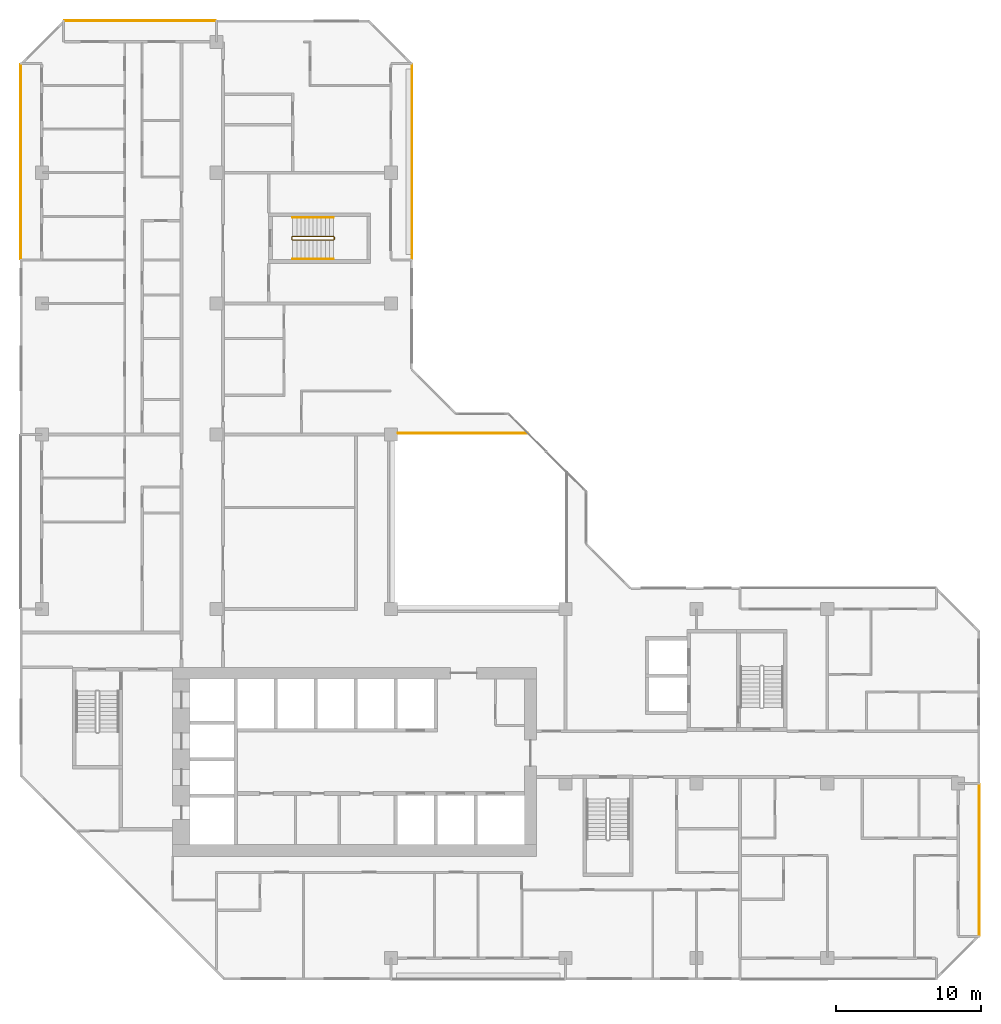
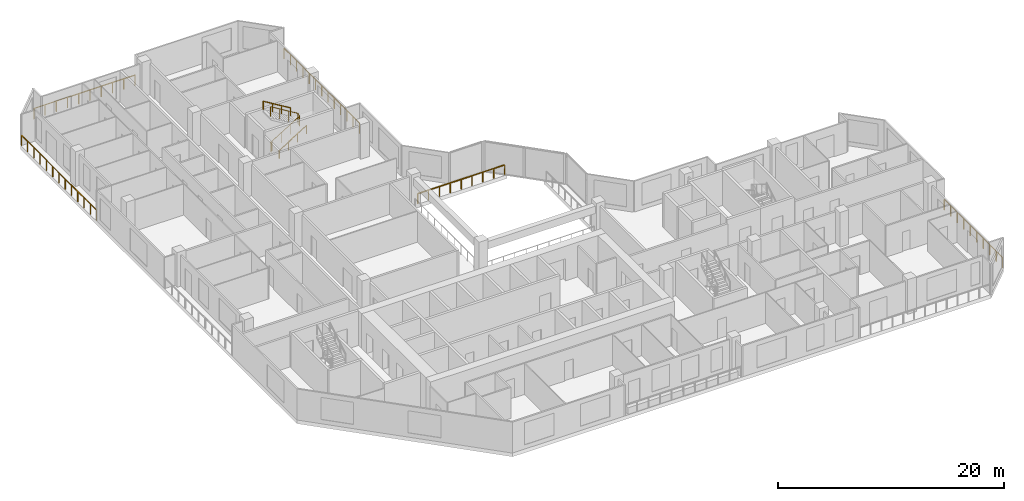
# One storey, part 15 of 15: 8 railings.
"""IFC4 building model written with IfcOpenShell, lengths in metres."""

import ifcopenshell
import ifcopenshell.guid

model = None  # the IFC model being written
_history = None  # IfcOwnerHistory: only IFC2X3 demands one
_inside = {}  # id of a spatial element -> (the spatial element, [elements in it])
_under = {}  # id of a project, library or spatial element -> (it, [spatial elements below it])
_declared = {}  # id of a project -> (the project, [libraries it declares])
_typed = {}  # id of a type object -> (the type object, [elements of that type])
_made_of = {}  # id of a material, layer set ... -> (it, [elements and type objects made of it])


def new_model(schema):
    """Start an empty IFC model of exactly this schema.

    Asked for "IFC4X3", IfcOpenShell would pick the latest addendum, in which some entities
    have other attributes; the version numbers below select the first issue.
    IFC2X3 requires an IfcOwnerHistory on every rooted entity: one is made here for all.
    """
    global model, _history
    if schema == "IFC4X3":
        model = ifcopenshell.file(schema_version=(4, 3, 0, 0))
    else:
        model = ifcopenshell.file(schema=schema)
    _inside.clear()
    _under.clear()
    _declared.clear()
    _typed.clear()
    _made_of.clear()
    _history = None
    if model.schema == "IFC2X3":
        org = make("IfcOrganization", Name="unknown")
        user = make(
            "IfcPersonAndOrganization",
            ThePerson=make("IfcPerson", FamilyName="unknown"),
            TheOrganization=org,
        )
        app = make(
            "IfcApplication",
            ApplicationDeveloper=org,
            Version="unknown",
            ApplicationFullName="unknown",
            ApplicationIdentifier="unknown",
        )
        _history = make(
            "IfcOwnerHistory",
            OwningUser=user,
            OwningApplication=app,
            ChangeAction="ADDED",
            CreationDate=0,
        )
    return model


def make(cls, **values):
    """One entity of the class cls with the attributes given. An attribute that is None is left unset."""
    return model.create_entity(
        cls, **{name: value for name, value in values.items() if value is not None}
    )


def rooted(cls, **values):
    """An entity with a GlobalId (a new one), such as an element, a storey or a relation."""
    return make(cls, GlobalId=ifcopenshell.guid.new(), OwnerHistory=_history, **values)


def si_unit(unit_type, name, prefix=None):
    """IfcSIUnit, for example si_unit("LENGTHUNIT", "METRE", prefix="MILLI")."""
    return make("IfcSIUnit", UnitType=unit_type, Prefix=prefix, Name=name)


def assignment(units):
    """IfcUnitAssignment: the units of a project."""
    return None if units is None else make("IfcUnitAssignment", Units=units)


def point(xyz):
    """IfcCartesianPoint."""
    return None if xyz is None else make("IfcCartesianPoint", Coordinates=xyz)


def direction(xyz):
    """IfcDirection."""
    return None if xyz is None else make("IfcDirection", DirectionRatios=xyz)


def frame(location, z_axis=None, x_axis=None):
    """IfcAxis2Placement3D, a coordinate frame: its origin and axes. An axis left out is left unset."""
    return make(
        "IfcAxis2Placement3D",
        Location=point(location),
        Axis=direction(z_axis),
        RefDirection=direction(x_axis),
    )


def frame_2d(location, x_axis=None):
    """IfcAxis2Placement2D, a coordinate frame in the plane: its origin and x axis."""
    return make(
        "IfcAxis2Placement2D", Location=point(location), RefDirection=direction(x_axis)
    )


def origin():
    """The frame at (0, 0, 0) with its axes left unset."""
    return frame((0.0, 0.0, 0.0))


def origin_2d():
    """The frame at (0, 0) in the plane with its x axis left unset."""
    return frame_2d((0.0, 0.0))


def place(relative_to, where):
    """IfcLocalPlacement: puts the frame where relative to a parent placement (None: the world)."""
    return make(
        "IfcLocalPlacement", PlacementRelTo=relative_to, RelativePlacement=where
    )


def context(
    kind, dimensions, precision=None, world=None, true_north=None, identifier=None
):
    """IfcGeometricRepresentationContext, for example the 3D "Model" context."""
    return make(
        "IfcGeometricRepresentationContext",
        ContextIdentifier=identifier,
        ContextType=kind,
        CoordinateSpaceDimension=dimensions,
        Precision=precision,
        WorldCoordinateSystem=world,
        TrueNorth=true_north,
    )


def subcontext(parent, identifier, kind, view, scale=None):
    """IfcGeometricRepresentationSubContext, for example "Body" below "Model"."""
    return make(
        "IfcGeometricRepresentationSubContext",
        ContextIdentifier=identifier,
        ContextType=kind,
        ParentContext=parent,
        TargetScale=scale,
        TargetView=view,
    )


def project(units=None, contexts=None):
    """IfcProject with its units and contexts."""
    return rooted(
        "IfcProject",
        Name="project",
        RepresentationContexts=contexts,
        UnitsInContext=assignment(units),
    )


def spatial(cls, under=None, at=None, **own):
    """A site, building, storey or space (cls), placed at a placement, below another one or the project."""
    s = rooted(cls, ObjectPlacement=at, **own)
    if under is not None:
        _under.setdefault(under.id(), (under, []))[1].append(s)
    return s


def profile(cls, at=None, kind="AREA", **sizes):
    """A parametric profile (cls). Its sizes go by their IFC names, for example OverallWidth=200.0."""
    return make(cls, ProfileType=kind, Position=at, **sizes)


def rectangle(**sizes):
    """IfcRectangleProfileDef."""
    return profile("IfcRectangleProfileDef", **sizes)


def extrude(swept, where, along, depth):
    """IfcExtrudedAreaSolid: the profile swept, set in the frame where, extruded along a direction by depth."""
    return make(
        "IfcExtrudedAreaSolid",
        SweptArea=swept,
        Position=where,
        ExtrudedDirection=direction(along),
        Depth=depth,
    )


def shape(context_of_items, identifier, shape_type, items):
    """IfcShapeRepresentation: the items that make up one representation, for example the "Body"."""
    return make(
        "IfcShapeRepresentation",
        ContextOfItems=context_of_items,
        RepresentationIdentifier=identifier,
        RepresentationType=shape_type,
        Items=items,
    )


def material(Name=None, Category=None):
    """IfcMaterial."""
    return make("IfcMaterial", Name=Name, Category=Category)


def made_of(thing, what):
    """Note that an element or type object is made of a material, layer set ...; save() writes the relation."""
    if what is not None:
        _made_of.setdefault(what.id(), (what, []))[1].append(thing)
    return thing


def type_object(cls, material=None, **own):
    """A type object (cls), such as IfcWallType, which elements share."""
    return made_of(rooted(cls, **own), material)


def element(
    cls,
    number,
    at=None,
    inside=None,
    cuts=None,
    type_object=None,
    material=None,
    context=None,
    identifier="Body",
    shape_type=None,
    held_by="IfcProductDefinitionShape",
    body=None,
    shapes=None,
    **own,
):
    """One element of the class cls, such as IfcWall. Its Tag is "e" and its number.

    at: its placement. inside: the storey or other place that contains it. cuts: it is an
    opening in that element (IfcRelVoidsElement). A single representation is given by context,
    identifier, shape_type and body (its items); several are given by shapes. held_by: the class
    of the entity that holds the representations. save() writes the other relations.
    """
    e = rooted(cls, Tag="e%d" % number, ObjectPlacement=at, **own)
    if body is not None:
        shapes = [shape(context, identifier, shape_type, body)]
    if shapes is not None:
        e.Representation = make(held_by, Representations=shapes)
    if inside is not None:
        _inside.setdefault(inside.id(), (inside, []))[1].append(e)
    if cuts is not None:
        rooted(
            "IfcRelVoidsElement", RelatingBuildingElement=cuts, RelatedOpeningElement=e
        )
    if type_object is not None:
        _typed.setdefault(type_object.id(), (type_object, []))[1].append(e)
    return made_of(e, material)


def aggregate(whole, parts):
    """IfcRelAggregates: a whole, such as a stair, and the parts it consists of."""
    return rooted("IfcRelAggregates", RelatingObject=whole, RelatedObjects=parts)


def save(model, path):
    """Write the relations noted so far, then the file.

    IfcRelAggregates (storeys below a building ...), IfcRelContainedInSpatialStructure (elements
    in a storey), IfcRelDefinesByType, IfcRelAssociatesMaterial and IfcRelDeclares: one each for
    every whole, place, type object, material and project.
    """
    for whole, parts in _under.values():
        aggregate(whole, parts)
    for where, things in _inside.values():
        rooted(
            "IfcRelContainedInSpatialStructure",
            RelatedElements=things,
            RelatingStructure=where,
        )
    for kind, things in _typed.values():
        rooted("IfcRelDefinesByType", RelatedObjects=things, RelatingType=kind)
    for what, things in _made_of.values():
        rooted("IfcRelAssociatesMaterial", RelatedObjects=things, RelatingMaterial=what)
    for by, libraries in _declared.values():
        rooted("IfcRelDeclares", RelatingContext=by, RelatedDefinitions=libraries)
    model.write(path)


model = new_model("IFC4")

# Units and contexts
model_context = context("Model", 3, precision=1e-05, world=origin(), true_north=direction((0.0, 1.0)))
body_context = subcontext(model_context, "Body", "Model", "MODEL_VIEW")
ifc_project = project(units=[si_unit("LENGTHUNIT", "METRE"), si_unit("AREAUNIT", "SQUARE_METRE"), si_unit("VOLUMEUNIT", "CUBIC_METRE"), si_unit("PLANEANGLEUNIT", "RADIAN"), si_unit("MASSUNIT", "GRAM", prefix="KILO")], contexts=[model_context])

# Site, building, storey
site_placement = place(None, origin())
site = spatial("IfcSite", under=ifc_project, at=site_placement, CompositionType="ELEMENT")
building_placement = place(site_placement, origin())
building = spatial("IfcBuilding", under=site, at=building_placement, Name="Chenar Terraces", CompositionType="ELEMENT")
storey_placement = place(building_placement, frame((0.0, 0.0, 191.14990234375)))
storey = spatial("IfcBuildingStorey", under=building, at=storey_placement, Name="L44", CompositionType="ELEMENT", Elevation=191.14990234375)

# Railings
ifc_material_1 = material(Name="Powder-coated steel", Category="steel")
railing_type_1 = type_object("IfcRailingType", Name="Guard 1100 steel rail with glass infill", PredefinedType="GUARDRAIL", material=ifc_material_1)
railing_1_placement = place(storey_placement, frame((24.5, 36.10009765625, 0.0)))
element("IfcRailing", 1, at=railing_1_placement, inside=storey, type_object=railing_type_1, Name="Guard L44-2", PredefinedType="GUARDRAIL", context=body_context, shape_type="SweptSolid", body=[
    extrude(rectangle(XDim=0.06005859375, YDim=0.06005859375, at=origin_2d()), frame((0.0, 0.0, 1.070068359375), z_axis=(1.0, 0.0, 0.0), x_axis=(0.0, 1.0, 0.0)), (0.0, 0.0, 1.0), 8.89990234375),
    extrude(rectangle(XDim=0.050048828125, YDim=0.050048828125, at=origin_2d()), origin(), (0.0, 0.0, 1.0), 1.0400390625),
    extrude(rectangle(XDim=0.050048828125, YDim=0.050048828125, at=origin_2d()), frame((1.112548828125, 0.0, 0.0)), (0.0, 0.0, 1.0), 1.0400390625),
    extrude(rectangle(XDim=0.050048828125, YDim=0.050048828125, at=origin_2d()), frame((2.22509765625, 0.0, 0.0)), (0.0, 0.0, 1.0), 1.0400390625),
    extrude(rectangle(XDim=0.050048828125, YDim=0.050048828125, at=origin_2d()), frame((3.33740234375, 0.0, 0.0)), (0.0, 0.0, 1.0), 1.0400390625),
    extrude(rectangle(XDim=0.050048828125, YDim=0.050048828125, at=origin_2d()), frame((4.449951171875, 0.0, 0.0)), (0.0, 0.0, 1.0), 1.0400390625),
    extrude(rectangle(XDim=0.050048828125, YDim=0.050048828125, at=origin_2d()), frame((5.5625, 0.0, 0.0)), (0.0, 0.0, 1.0), 1.0400390625),
    extrude(rectangle(XDim=0.050048828125, YDim=0.050048828125, at=origin_2d()), frame((6.6748046875, 0.0, 0.0)), (0.0, 0.0, 1.0), 1.0400390625),
    extrude(rectangle(XDim=0.050048828125, YDim=0.050048828125, at=origin_2d()), frame((7.787353515625, 0.0, 0.0)), (0.0, 0.0, 1.0), 1.0400390625),
    extrude(rectangle(XDim=0.050048828125, YDim=0.050048828125, at=origin_2d()), frame((8.89990234375, 0.0, 0.0)), (0.0, 0.0, 1.0), 1.0400390625),
])
ifc_material_2 = material(Name="Stainless steel and glass", Category="steel")
railing_type_2 = type_object("IfcRailingType", Name="Loggia guard 1150", PredefinedType="GUARDRAIL", material=ifc_material_2)
railing_2_placement = place(storey_placement, frame((25.449951171875, 48.074951171875, 0.0)))
element("IfcRailing", 2, at=railing_2_placement, inside=storey, type_object=railing_type_2, Name="Loggia guard", PredefinedType="GUARDRAIL", context=body_context, shape_type="SweptSolid", body=[
    extrude(rectangle(XDim=0.048095703125, YDim=0.048095703125, at=origin_2d()), frame((0.0, 0.0, 1.1259765625), z_axis=(0.0, 1.0, 0.0), x_axis=(-1.0, 0.0, 0.0)), (0.0, 0.0, 1.0), 13.35009765625),
    extrude(rectangle(XDim=0.0419921875, YDim=0.0419921875, at=origin_2d()), origin(), (0.0, 0.0, 1.0), 1.101806640625),
    extrude(rectangle(XDim=0.0419921875, YDim=0.0419921875, at=origin_2d()), frame((0.0, 1.112548828125, 0.0)), (0.0, 0.0, 1.0), 1.101806640625),
    extrude(rectangle(XDim=0.0419921875, YDim=0.0419921875, at=origin_2d()), frame((0.0, 2.22509765625, 0.0)), (0.0, 0.0, 1.0), 1.101806640625),
    extrude(rectangle(XDim=0.0419921875, YDim=0.0419921875, at=origin_2d()), frame((0.0, 3.33740234375, 0.0)), (0.0, 0.0, 1.0), 1.101806640625),
    extrude(rectangle(XDim=0.0419921875, YDim=0.0419921875, at=origin_2d()), frame((0.0, 4.449951171875, 0.0)), (0.0, 0.0, 1.0), 1.101806640625),
    extrude(rectangle(XDim=0.0419921875, YDim=0.0419921875, at=origin_2d()), frame((0.0, 5.5625, 0.0)), (0.0, 0.0, 1.0), 1.101806640625),
    extrude(rectangle(XDim=0.0419921875, YDim=0.0419921875, at=origin_2d()), frame((0.0, 6.675048828125, 0.0)), (0.0, 0.0, 1.0), 1.101806640625),
    extrude(rectangle(XDim=0.0419921875, YDim=0.0419921875, at=origin_2d()), frame((0.0, 7.78759765625, 0.0)), (0.0, 0.0, 1.0), 1.101806640625),
    extrude(rectangle(XDim=0.0419921875, YDim=0.0419921875, at=origin_2d()), frame((0.0, 8.900146484375, 0.0)), (0.0, 0.0, 1.0), 1.101806640625),
    extrude(rectangle(XDim=0.0419921875, YDim=0.0419921875, at=origin_2d()), frame((0.0, 10.0126953125, 0.0)), (0.0, 0.0, 1.0), 1.101806640625),
    extrude(rectangle(XDim=0.0419921875, YDim=0.0419921875, at=origin_2d()), frame((0.0, 11.125, 0.0)), (0.0, 0.0, 1.0), 1.101806640625),
    extrude(rectangle(XDim=0.0419921875, YDim=0.0419921875, at=origin_2d()), frame((0.0, 12.237548828125, 0.0)), (0.0, 0.0, 1.0), 1.101806640625),
    extrude(rectangle(XDim=0.0419921875, YDim=0.0419921875, at=origin_2d()), frame((0.0, 13.35009765625, 0.0)), (0.0, 0.0, 1.0), 1.101806640625),
])
railing_3_placement = place(storey_placement, frame((64.449951171875, 1.574951171875, 0.0)))
element("IfcRailing", 3, at=railing_3_placement, inside=storey, type_object=railing_type_2, Name="Loggia guard", PredefinedType="GUARDRAIL", context=body_context, shape_type="SweptSolid", body=[
    extrude(rectangle(XDim=0.048095703125, YDim=0.048095703125, at=origin_2d()), frame((0.0, 0.0, 1.1259765625), z_axis=(0.0, 1.0, 0.0), x_axis=(-1.0, 0.0, 0.0)), (0.0, 0.0, 1.0), 10.35009765625),
    extrude(rectangle(XDim=0.0419921875, YDim=0.0419921875, at=origin_2d()), origin(), (0.0, 0.0, 1.0), 1.101806640625),
    extrude(rectangle(XDim=0.0419921875, YDim=0.0419921875, at=origin_2d()), frame((0.0, 1.14990234375, 0.0)), (0.0, 0.0, 1.0), 1.101806640625),
    extrude(rectangle(XDim=0.0419921875, YDim=0.0419921875, at=origin_2d()), frame((0.0, 2.300048828125, 0.0)), (0.0, 0.0, 1.0), 1.101806640625),
    extrude(rectangle(XDim=0.0419921875, YDim=0.0419921875, at=origin_2d()), frame((0.0, 3.449951171875, 0.0)), (0.0, 0.0, 1.0), 1.101806640625),
    extrude(rectangle(XDim=0.0419921875, YDim=0.0419921875, at=origin_2d()), frame((0.0, 4.60009765625, 0.0)), (0.0, 0.0, 1.0), 1.101806640625),
    extrude(rectangle(XDim=0.0419921875, YDim=0.0419921875, at=origin_2d()), frame((0.0, 5.75, 0.0)), (0.0, 0.0, 1.0), 1.101806640625),
    extrude(rectangle(XDim=0.0419921875, YDim=0.0419921875, at=origin_2d()), frame((0.0, 6.900146484375, 0.0)), (0.0, 0.0, 1.0), 1.101806640625),
    extrude(rectangle(XDim=0.0419921875, YDim=0.0419921875, at=origin_2d()), frame((0.0, 8.050048828125, 0.0)), (0.0, 0.0, 1.0), 1.101806640625),
    extrude(rectangle(XDim=0.0419921875, YDim=0.0419921875, at=origin_2d()), frame((0.0, 9.2001953125, 0.0)), (0.0, 0.0, 1.0), 1.101806640625),
    extrude(rectangle(XDim=0.0419921875, YDim=0.0419921875, at=origin_2d()), frame((0.0, 10.35009765625, 0.0)), (0.0, 0.0, 1.0), 1.101806640625),
])
railing_4_placement = place(storey_placement, frame((11.925048828125, 64.449951171875, 0.0)))
element("IfcRailing", 4, at=railing_4_placement, inside=storey, type_object=railing_type_2, Name="Loggia guard", PredefinedType="GUARDRAIL", context=body_context, shape_type="SweptSolid", body=[
    extrude(rectangle(XDim=0.048095703125, YDim=0.048095703125, at=origin_2d()), frame((0.0, 0.0, 1.1259765625), z_axis=(-1.0, 0.0, 0.0), x_axis=(0.0, -1.0, 0.0)), (0.0, 0.0, 1.0), 10.35009765625),
    extrude(rectangle(XDim=0.0419921875, YDim=0.0419921875, at=origin_2d()), origin(), (0.0, 0.0, 1.0), 1.101806640625),
    extrude(rectangle(XDim=0.0419921875, YDim=0.0419921875, at=origin_2d()), frame((-1.14990234375, 0.0, 0.0)), (0.0, 0.0, 1.0), 1.101806640625),
    extrude(rectangle(XDim=0.0419921875, YDim=0.0419921875, at=origin_2d()), frame((-2.300048828125, 0.0, 0.0)), (0.0, 0.0, 1.0), 1.101806640625),
    extrude(rectangle(XDim=0.0419921875, YDim=0.0419921875, at=origin_2d()), frame((-3.449951171875, 0.0, 0.0)), (0.0, 0.0, 1.0), 1.101806640625),
    extrude(rectangle(XDim=0.0419921875, YDim=0.0419921875, at=origin_2d()), frame((-4.60009765625, 0.0, 0.0)), (0.0, 0.0, 1.0), 1.101806640625),
    extrude(rectangle(XDim=0.0419921875, YDim=0.0419921875, at=origin_2d()), frame((-5.75, 0.0, 0.0)), (0.0, 0.0, 1.0), 1.101806640625),
    extrude(rectangle(XDim=0.0419921875, YDim=0.0419921875, at=origin_2d()), frame((-6.900146484375, 0.0, 0.0)), (0.0, 0.0, 1.0), 1.101806640625),
    extrude(rectangle(XDim=0.0419921875, YDim=0.0419921875, at=origin_2d()), frame((-8.050048828125, 0.0, 0.0)), (0.0, 0.0, 1.0), 1.101806640625),
    extrude(rectangle(XDim=0.0419921875, YDim=0.0419921875, at=origin_2d()), frame((-9.2001953125, 0.0, 0.0)), (0.0, 0.0, 1.0), 1.101806640625),
    extrude(rectangle(XDim=0.0419921875, YDim=0.0419921875, at=origin_2d()), frame((-10.35009765625, 0.0, 0.0)), (0.0, 0.0, 1.0), 1.101806640625),
])
railing_5_placement = place(storey_placement, frame((-1.449951171875, 61.425048828125, 0.0)))
element("IfcRailing", 5, at=railing_5_placement, inside=storey, type_object=railing_type_2, Name="Loggia guard", PredefinedType="GUARDRAIL", context=body_context, shape_type="SweptSolid", body=[
    extrude(rectangle(XDim=0.048095703125, YDim=0.048095703125, at=origin_2d()), frame((0.0, 0.0, 1.1259765625), z_axis=(0.0, -1.0, 0.0), x_axis=(1.0, 0.0, 0.0)), (0.0, 0.0, 1.0), 13.35009765625),
    extrude(rectangle(XDim=0.0419921875, YDim=0.0419921875, at=origin_2d()), origin(), (0.0, 0.0, 1.0), 1.101806640625),
    extrude(rectangle(XDim=0.0419921875, YDim=0.0419921875, at=origin_2d()), frame((0.0, -1.112548828125, 0.0)), (0.0, 0.0, 1.0), 1.101806640625),
    extrude(rectangle(XDim=0.0419921875, YDim=0.0419921875, at=origin_2d()), frame((0.0, -2.22509765625, 0.0)), (0.0, 0.0, 1.0), 1.101806640625),
    extrude(rectangle(XDim=0.0419921875, YDim=0.0419921875, at=origin_2d()), frame((0.0, -3.33740234375, 0.0)), (0.0, 0.0, 1.0), 1.101806640625),
    extrude(rectangle(XDim=0.0419921875, YDim=0.0419921875, at=origin_2d()), frame((0.0, -4.449951171875, 0.0)), (0.0, 0.0, 1.0), 1.101806640625),
    extrude(rectangle(XDim=0.0419921875, YDim=0.0419921875, at=origin_2d()), frame((0.0, -5.5625, 0.0)), (0.0, 0.0, 1.0), 1.101806640625),
    extrude(rectangle(XDim=0.0419921875, YDim=0.0419921875, at=origin_2d()), frame((0.0, -6.675048828125, 0.0)), (0.0, 0.0, 1.0), 1.101806640625),
    extrude(rectangle(XDim=0.0419921875, YDim=0.0419921875, at=origin_2d()), frame((0.0, -7.78759765625, 0.0)), (0.0, 0.0, 1.0), 1.101806640625),
    extrude(rectangle(XDim=0.0419921875, YDim=0.0419921875, at=origin_2d()), frame((0.0, -8.900146484375, 0.0)), (0.0, 0.0, 1.0), 1.101806640625),
    extrude(rectangle(XDim=0.0419921875, YDim=0.0419921875, at=origin_2d()), frame((0.0, -10.0126953125, 0.0)), (0.0, 0.0, 1.0), 1.101806640625),
    extrude(rectangle(XDim=0.0419921875, YDim=0.0419921875, at=origin_2d()), frame((0.0, -11.125, 0.0)), (0.0, 0.0, 1.0), 1.101806640625),
    extrude(rectangle(XDim=0.0419921875, YDim=0.0419921875, at=origin_2d()), frame((0.0, -12.237548828125, 0.0)), (0.0, 0.0, 1.0), 1.101806640625),
    extrude(rectangle(XDim=0.0419921875, YDim=0.0419921875, at=origin_2d()), frame((0.0, -13.35009765625, 0.0)), (0.0, 0.0, 1.0), 1.101806640625),
])
ifc_material_3 = material(Name="Powder-coated steel", Category="steel")
railing_type_3 = type_object("IfcRailingType", Name="Stair guard 1100", PredefinedType="GUARDRAIL", material=ifc_material_3)
railing_6_placement = place(storey_placement, frame((17.25, 49.625, 3.75)))
element("IfcRailing", 6, at=railing_6_placement, inside=storey, type_object=railing_type_3, Name="L44 ST4 stair guard 1", PredefinedType="GUARDRAIL", context=body_context, shape_type="SweptSolid", body=[
    extrude(rectangle(XDim=0.048095703125, YDim=0.048095703125, at=origin_2d()), frame((0.0, 0.0, 1.076171875), z_axis=(0.854202870247, 0.0, -0.519939858505), x_axis=(0.0, 1.0, 0.0)), (0.0, 0.0, 1.0), 3.278076171875),
    extrude(rectangle(XDim=0.048095703125, YDim=0.048095703125, at=origin_2d()), frame((2.800048828125, 0.0, -0.62841796875), z_axis=(0.270899902878, -0.270899902878, -0.923702595667), x_axis=(0.707106781187, 0.707106781187, 0.0)), (0.0, 0.0, 1.0), 0.184814453125),
    extrude(rectangle(XDim=0.048095703125, YDim=0.048095703125, at=origin_2d()), frame((2.85009765625, -0.050048828125, -0.798828125), z_axis=(0.0, -1.0, 0.0), x_axis=(1.0, 0.0, 0.0)), (0.0, 0.0, 1.0), 0.14990234375),
    extrude(rectangle(XDim=0.048095703125, YDim=0.048095703125, at=origin_2d()), frame((2.85009765625, -0.199951171875, -0.798828125), z_axis=(-0.707106781187, -0.707106781187, 0.0), x_axis=(0.707106781187, -0.707106781187, 0.0)), (0.0, 0.0, 1.0), 0.07080078125),
    extrude(rectangle(XDim=0.048095703125, YDim=0.048095703125, at=origin_2d()), frame((2.800048828125, -0.25, -0.798828125), z_axis=(-0.854202870247, 0.0, -0.519939858505), x_axis=(0.0, -1.0, 0.0)), (0.0, 0.0, 1.0), 3.278076171875),
    extrude(rectangle(XDim=0.048095703125, YDim=0.048095703125, at=origin_2d()), frame((0.0, -0.25, -2.50341796875), z_axis=(-0.270899902878, 0.270899902878, -0.923702595667), x_axis=(-0.707106781187, -0.707106781187, 0.0)), (0.0, 0.0, 1.0), 0.184814453125),
    extrude(rectangle(XDim=0.048095703125, YDim=0.048095703125, at=origin_2d()), frame((-0.050048828125, -0.199951171875, -2.673828125), z_axis=(0.0, 1.0, 0.0), x_axis=(-1.0, 0.0, 0.0)), (0.0, 0.0, 1.0), 0.14990234375),
    extrude(rectangle(XDim=0.0419921875, YDim=0.0419921875, at=origin_2d()), origin(), (0.0, 0.0, 1.0), 1.052001953125),
    extrude(rectangle(XDim=0.0419921875, YDim=0.0419921875, at=origin_2d()), frame((0.933349609375, 0.0, -0.568115234375)), (0.0, 0.0, 1.0), 1.052001953125),
    extrude(rectangle(XDim=0.0419921875, YDim=0.0419921875, at=origin_2d()), frame((1.86669921875, 0.0, -1.13623046875)), (0.0, 0.0, 1.0), 1.052001953125),
    extrude(rectangle(XDim=0.0419921875, YDim=0.0419921875, at=origin_2d()), frame((2.800048828125, 0.0, -1.704345703125)), (0.0, 0.0, 1.0), 1.052001953125),
    extrude(rectangle(XDim=0.0419921875, YDim=0.0419921875, at=origin_2d()), frame((2.85009765625, -0.050048828125, -1.875)), (0.0, 0.0, 1.0), 1.052001953125),
    extrude(rectangle(XDim=0.0419921875, YDim=0.0419921875, at=origin_2d()), frame((2.85009765625, -0.199951171875, -1.875)), (0.0, 0.0, 1.0), 1.052001953125),
    extrude(rectangle(XDim=0.0419921875, YDim=0.0419921875, at=origin_2d()), frame((2.800048828125, -0.25, -1.875)), (0.0, 0.0, 1.0), 1.052001953125),
    extrude(rectangle(XDim=0.0419921875, YDim=0.0419921875, at=origin_2d()), frame((1.86669921875, -0.25, -2.443115234375)), (0.0, 0.0, 1.0), 1.052001953125),
    extrude(rectangle(XDim=0.0419921875, YDim=0.0419921875, at=origin_2d()), frame((0.933349609375, -0.25, -3.01123046875)), (0.0, 0.0, 1.0), 1.052001953125),
    extrude(rectangle(XDim=0.0419921875, YDim=0.0419921875, at=origin_2d()), frame((0.0, -0.25, -3.579345703125)), (0.0, 0.0, 1.0), 1.052001953125),
    extrude(rectangle(XDim=0.0419921875, YDim=0.0419921875, at=origin_2d()), frame((-0.050048828125, -0.199951171875, -3.75)), (0.0, 0.0, 1.0), 1.052001953125),
    extrude(rectangle(XDim=0.0419921875, YDim=0.0419921875, at=origin_2d()), frame((-0.050048828125, -0.050048828125, -3.75)), (0.0, 0.0, 1.0), 1.052001953125),
])
ifc_material_4 = material(Name="Powder-coated steel", Category="steel")
railing_type_4 = type_object("IfcRailingType", Name="Stair handrail 900", PredefinedType="HANDRAIL", material=ifc_material_4)
railing_7_placement = place(storey_placement, frame((17.25, 48.074951171875, 0.170654296875)))
element("IfcRailing", 7, at=railing_7_placement, inside=storey, type_object=railing_type_4, Name="L44 ST4 stair handrail 1", PredefinedType="HANDRAIL", context=body_context, shape_type="SweptSolid", body=[
    extrude(rectangle(XDim=0.048095703125, YDim=0.048095703125, at=origin_2d()), frame((0.0, 0.0, 0.8759765625), z_axis=(0.854202870247, 0.0, 0.519939858505), x_axis=(0.0, 1.0, 0.0)), (0.0, 0.0, 1.0), 3.278076171875),
    extrude(rectangle(XDim=0.0419921875, YDim=0.0419921875, at=origin_2d()), origin(), (0.0, 0.0, 1.0), 0.851806640625),
    extrude(rectangle(XDim=0.0419921875, YDim=0.0419921875, at=origin_2d()), frame((0.933349609375, 0.0, 0.568115234375)), (0.0, 0.0, 1.0), 0.851806640625),
    extrude(rectangle(XDim=0.0419921875, YDim=0.0419921875, at=origin_2d()), frame((1.86669921875, 0.0, 1.13623046875)), (0.0, 0.0, 1.0), 0.851806640625),
    extrude(rectangle(XDim=0.0419921875, YDim=0.0419921875, at=origin_2d()), frame((2.800048828125, 0.0, 1.704345703125)), (0.0, 0.0, 1.0), 0.851806640625),
])
railing_8_placement = place(storey_placement, frame((20.050048828125, 50.925048828125, 2.045654296875)))
element("IfcRailing", 8, at=railing_8_placement, inside=storey, type_object=railing_type_4, Name="L44 ST4 stair handrail 2", PredefinedType="HANDRAIL", context=body_context, shape_type="SweptSolid", body=[
    extrude(rectangle(XDim=0.048095703125, YDim=0.048095703125, at=origin_2d()), frame((0.0, 0.0, 0.8759765625), z_axis=(-0.854202870247, 0.0, 0.519939858505), x_axis=(0.0, -1.0, 0.0)), (0.0, 0.0, 1.0), 3.278076171875),
    extrude(rectangle(XDim=0.0419921875, YDim=0.0419921875, at=origin_2d()), origin(), (0.0, 0.0, 1.0), 0.851806640625),
    extrude(rectangle(XDim=0.0419921875, YDim=0.0419921875, at=origin_2d()), frame((-0.933349609375, 0.0, 0.568115234375)), (0.0, 0.0, 1.0), 0.851806640625),
    extrude(rectangle(XDim=0.0419921875, YDim=0.0419921875, at=origin_2d()), frame((-1.86669921875, 0.0, 1.13623046875)), (0.0, 0.0, 1.0), 0.851806640625),
    extrude(rectangle(XDim=0.0419921875, YDim=0.0419921875, at=origin_2d()), frame((-2.800048828125, 0.0, 1.704345703125)), (0.0, 0.0, 1.0), 0.851806640625),
])

save(model, "model.ifc")
